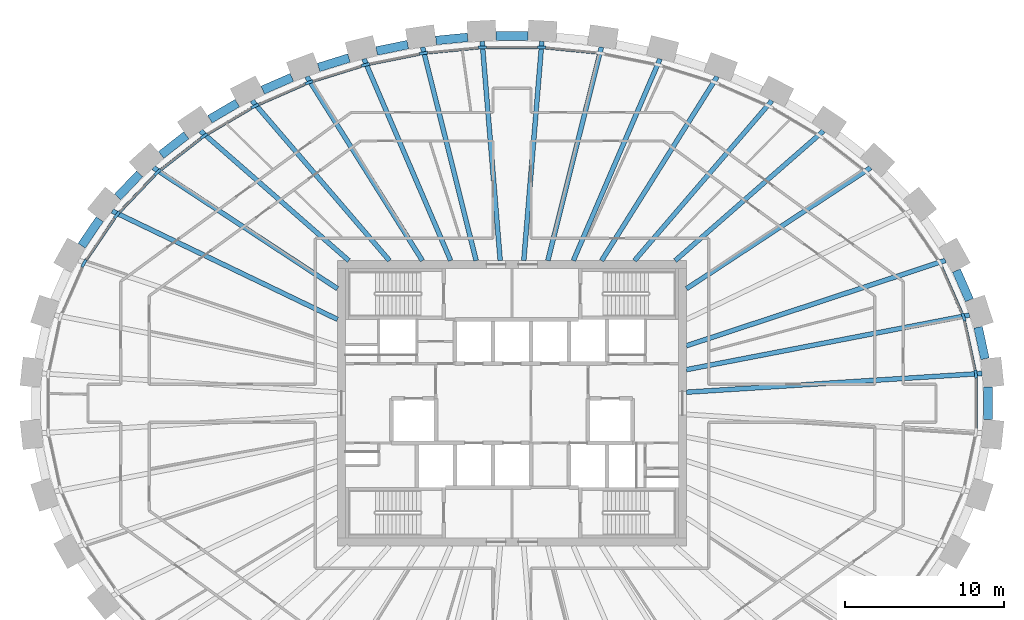
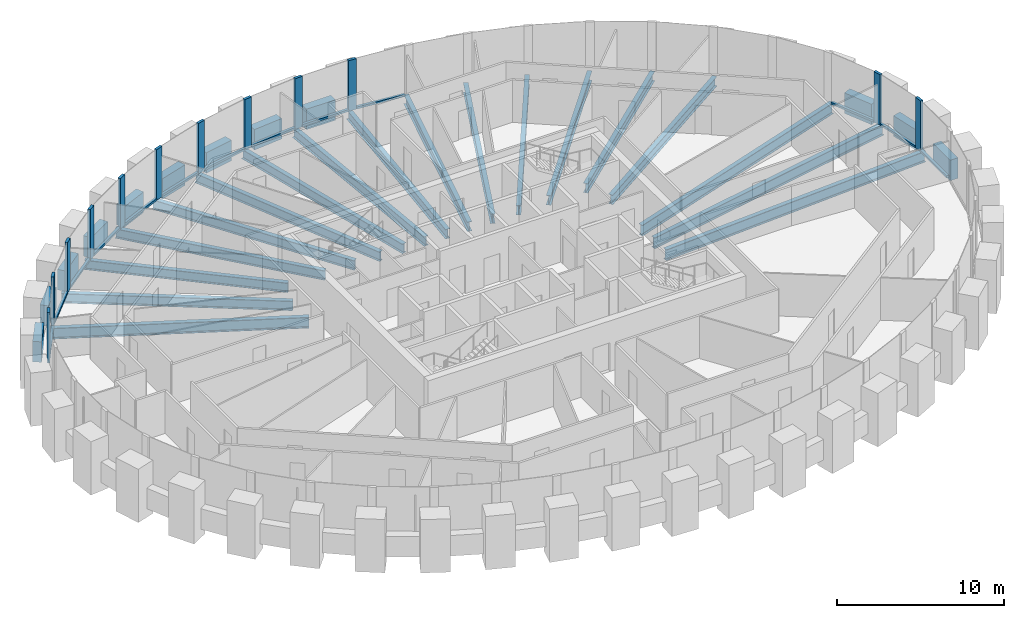
# One storey, part 3 of 12: 30 beams, 25 members, 1 element without a shape of its own.
"""IFC4 building model written with IfcOpenShell, lengths in metres."""

from ifc_helpers import new_model, si_unit, direction, frame, origin, origin_2d, place, context, subcontext, project, spatial, rectangle, i_section, extrude, source, transform, mapped, material, material_profile, profile_set, type_object, element, aggregate, save


model = new_model("IFC4")

# Units and contexts
model_context = context("Model", 3, precision=1e-05, world=origin(), true_north=direction((0.0, 1.0)))
body_context = subcontext(model_context, "Body", "Model", "MODEL_VIEW")
ifc_project = project(units=[si_unit("LENGTHUNIT", "METRE"), si_unit("AREAUNIT", "SQUARE_METRE"), si_unit("VOLUMEUNIT", "CUBIC_METRE"), si_unit("PLANEANGLEUNIT", "RADIAN"), si_unit("MASSUNIT", "GRAM", prefix="KILO")], contexts=[model_context])

# Site, building, storey
site_placement = place(None, origin())
site = spatial("IfcSite", under=ifc_project, at=site_placement, CompositionType="ELEMENT")
building_placement = place(site_placement, origin())
building = spatial("IfcBuilding", under=site, at=building_placement, Name="Embergate Tower", CompositionType="ELEMENT")
storey_placement = place(building_placement, frame((0.0, 0.0, 309.10009765625)))
storey = spatial("IfcBuildingStorey", under=building, at=storey_placement, Name="L72", CompositionType="ELEMENT", Elevation=309.10009765625)

# Beams
ifc_material_1 = material(Name="Concrete C50", Category="concrete")
ifc_material_profile_1 = material_profile(ifc_material_1, rectangle(XDim=0.550048828125, YDim=1.5, at=origin_2d()), Name="RC 550x1500")
ifc_profile_set_1 = profile_set([ifc_material_profile_1], Name="Concrete C50")
beam_type_1 = type_object("IfcBeamType", Name="Spandrel beam RC 550x1500 C50", PredefinedType="BEAM", material=ifc_profile_set_1)
shared_shape_1 = source(origin(), body_context, "Body", "SweptSolid", [
    extrude(rectangle(XDim=0.550048828125, YDim=1.5, at=origin_2d()), origin(), (0.0, 0.0, 1.0), 2.034423828125),
])
beam_1_placement = place(storey_placement, frame((29.823974609375, 2.80810546875, 0.0), z_axis=(-0.209897885741, 0.977723313398, 0.0), x_axis=(-0.977723313398, -0.209897885741, 0.0)))
element("IfcBeam", 1, at=beam_1_placement, inside=storey, type_object=beam_type_1, Name="SPN-L72-00", PredefinedType="BEAM", context=body_context, shape_type="MappedRepresentation", body=[
    mapped(shared_shape_1, transform((0.0, 0.0, 0.0))),
])
shared_shape_2 = source(origin(), body_context, "Body", "SweptSolid", [
    extrude(rectangle(XDim=0.550048828125, YDim=1.5, at=origin_2d()), origin(), (0.0, 0.0, 1.0), 2.03125),
])
beam_2_placement = place(storey_placement, frame((28.843017578125, 6.510009765625, 0.0), z_axis=(-0.401695096335, 0.915773470669, 0.0), x_axis=(-0.915773470669, -0.401695096335, 0.0)))
element("IfcBeam", 2, at=beam_2_placement, inside=storey, type_object=beam_type_1, Name="SPN-L72-01", PredefinedType="BEAM", context=body_context, shape_type="MappedRepresentation", body=[
    mapped(shared_shape_2, transform((0.0, 0.0, 0.0))),
])
shared_shape_3 = source(origin(), body_context, "Body", "SweptSolid", [
    extrude(rectangle(XDim=0.550048828125, YDim=1.5, at=origin_2d()), origin(), (0.0, 0.0, 1.0), 2.02392578125),
])
beam_3_placement = place(storey_placement, frame((-26.0, 11.60888671875, 0.0), z_axis=(-0.562220937061, -0.826987072408, 0.0), x_axis=(0.826987072408, -0.562220937061, 0.0)))
element("IfcBeam", 3, at=beam_3_placement, inside=storey, type_object=beam_type_1, Name="SPN-L72-18", PredefinedType="BEAM", context=body_context, shape_type="MappedRepresentation", body=[
    mapped(shared_shape_3, transform((0.0, 0.0, 0.0))),
])
shared_shape_4 = source(origin(), body_context, "Body", "SweptSolid", [
    extrude(rectangle(XDim=0.550048828125, YDim=1.5, at=origin_2d()), origin(), (0.0, 0.0, 1.0), 2.0185546875),
])
beam_4_placement = place(storey_placement, frame((-23.47607421875, 14.469970703125, 0.0), z_axis=(-0.690032605045, -0.723778283714, 0.0), x_axis=(0.723778283714, -0.690032605045, 0.0)))
element("IfcBeam", 4, at=beam_4_placement, inside=storey, type_object=beam_type_1, Name="SPN-L72-17", PredefinedType="BEAM", context=body_context, shape_type="MappedRepresentation", body=[
    mapped(shared_shape_4, transform((0.0, 0.0, 0.0))),
])
shared_shape_5 = source(origin(), body_context, "Body", "SweptSolid", [
    extrude(rectangle(XDim=0.550048828125, YDim=1.5, at=origin_2d()), origin(), (0.0, 0.0, 1.0), 2.011962890625),
])
beam_5_placement = place(storey_placement, frame((-20.5419921875, 16.902099609375, 0.0), z_axis=(-0.788259795351, -0.615342583471, 0.0), x_axis=(0.615342583471, -0.788259795351, 0.0)))
element("IfcBeam", 5, at=beam_5_placement, inside=storey, type_object=beam_type_1, Name="SPN-L72-16", PredefinedType="BEAM", context=body_context, shape_type="MappedRepresentation", body=[
    mapped(shared_shape_5, transform((0.0, 0.0, 0.0))),
])
shared_shape_6 = source(origin(), body_context, "Body", "SweptSolid", [
    extrude(rectangle(XDim=0.550048828125, YDim=1.5, at=origin_2d()), origin(), (0.0, 0.0, 1.0), 2.008056640625),
])
beam_6_placement = place(storey_placement, frame((-17.322021484375, 18.931884765625, 0.0), z_axis=(-0.86201859197, -0.506876658663, 0.0), x_axis=(0.506876658663, -0.86201859197, 0.0)))
element("IfcBeam", 6, at=beam_6_placement, inside=storey, type_object=beam_type_1, Name="SPN-L72-15", PredefinedType="BEAM", context=body_context, shape_type="MappedRepresentation", body=[
    mapped(shared_shape_6, transform((0.0, 0.0, 0.0))),
])
shared_shape_7 = source(origin(), body_context, "Body", "SweptSolid", [
    extrude(rectangle(XDim=0.550048828125, YDim=1.5, at=origin_2d()), origin(), (0.0, 0.0, 1.0), 2.0068359375),
])
beam_7_placement = place(storey_placement, frame((-13.8798828125, 20.552978515625, 0.0), z_axis=(-0.916455842534, -0.400135837793, 0.0), x_axis=(0.400135837793, -0.916455842534, 0.0)))
element("IfcBeam", 7, at=beam_7_placement, inside=storey, type_object=beam_type_1, Name="SPN-L72-14", PredefinedType="BEAM", context=body_context, shape_type="MappedRepresentation", body=[
    mapped(shared_shape_7, transform((0.0, 0.0, 0.0))),
])
shared_shape_8 = source(origin(), body_context, "Body", "SweptSolid", [
    extrude(rectangle(XDim=0.550048828125, YDim=1.5, at=origin_2d()), origin(), (0.0, 0.0, 1.0), 2.0048828125),
])
beam_8_placement = place(storey_placement, frame((-10.280029296875, 21.778076171875, 0.0), z_axis=(-0.954756929567, -0.297387298725, 0.0), x_axis=(0.297387298725, -0.954756929567, 0.0)))
element("IfcBeam", 8, at=beam_8_placement, inside=storey, type_object=beam_type_1, Name="SPN-L72-13", PredefinedType="BEAM", context=body_context, shape_type="MappedRepresentation", body=[
    mapped(shared_shape_8, transform((0.0, 0.0, 0.0))),
])
shared_shape_9 = source(origin(), body_context, "Body", "SweptSolid", [
    extrude(rectangle(XDim=0.550048828125, YDim=1.5, at=origin_2d()), origin(), (0.0, 0.0, 1.0), 2.003173828125),
])
beam_9_placement = place(storey_placement, frame((-6.572021484375, 22.617919921875, 0.0), z_axis=(-0.980364457571, -0.197194143753, 0.0), x_axis=(0.197194143753, -0.980364457571, 0.0)))
element("IfcBeam", 9, at=beam_9_placement, inside=storey, type_object=beam_type_1, Name="SPN-L72-12", PredefinedType="BEAM", context=body_context, shape_type="MappedRepresentation", body=[
    mapped(shared_shape_9, transform((0.0, 0.0, 0.0))),
])
shared_shape_10 = source(origin(), body_context, "Body", "SweptSolid", [
    extrude(rectangle(XDim=0.550048828125, YDim=1.5, at=origin_2d()), origin(), (0.0, 0.0, 1.0), 2.00341796875),
])
beam_10_placement = place(storey_placement, frame((-2.798095703125, 23.0791015625, 0.0), z_axis=(-0.995201107697, -0.097850678276, 0.0), x_axis=(0.097850678276, -0.995201107697, 0.0)))
element("IfcBeam", 10, at=beam_10_placement, inside=storey, type_object=beam_type_1, Name="SPN-L72-11", PredefinedType="BEAM", context=body_context, shape_type="MappedRepresentation", body=[
    mapped(shared_shape_10, transform((0.0, 0.0, 0.0))),
])
shared_shape_11 = source(origin(), body_context, "Body", "SweptSolid", [
    extrude(rectangle(XDim=0.550048828125, YDim=1.5, at=origin_2d()), origin(), (0.0, 0.0, 1.0), 2.001953125),
])
beam_11_placement = place(storey_placement, frame((1.0009765625, 23.1669921875, 0.0), z_axis=(-1.0, 0.0, 0.0), x_axis=(0.0, -1.0, 0.0)))
element("IfcBeam", 11, at=beam_11_placement, inside=storey, type_object=beam_type_1, Name="SPN-L72-10", PredefinedType="BEAM", context=body_context, shape_type="MappedRepresentation", body=[
    mapped(shared_shape_11, transform((0.0, 0.0, 0.0))),
])
shared_shape_12 = source(origin(), body_context, "Body", "SweptSolid", [
    extrude(rectangle(XDim=0.550048828125, YDim=1.5, at=origin_2d()), origin(), (0.0, 0.0, 1.0), 2.0361328125),
])
beam_12_placement = place(storey_placement, frame((30.014892578125, -1.01806640625, 0.0), z_axis=(0.0, 1.0, 0.0), x_axis=(-1.0, 0.0, 0.0)))
element("IfcBeam", 12, at=beam_12_placement, inside=storey, type_object=beam_type_1, Name="SPN-L72-43", PredefinedType="BEAM", context=body_context, shape_type="MappedRepresentation", body=[
    mapped(shared_shape_12, transform((0.0, 0.0, 0.0))),
])
ifc_material_2 = material(Name="Steel Q355B", Category="steel")
ifc_material_profile_2 = material_profile(ifc_material_2, i_section(OverallWidth=0.300048828125, OverallDepth=0.800048828125, WebThickness=0.013916015625, FlangeThickness=0.02587890625, FilletRadius=0.028076171875, at=origin_2d()), Name="HN 800x300x14x26")
ifc_profile_set_2 = profile_set([ifc_material_profile_2], Name="Steel Q355 grade B")
beam_type_2 = type_object("IfcBeamType", Name="Radial girder HN 800x300x14x26", PredefinedType="BEAM", material=ifc_profile_set_2)
shared_shape_13 = source(origin(), body_context, "Body", "SweptSolid", [
    extrude(i_section(OverallWidth=0.300048828125, OverallDepth=0.800048828125, WebThickness=0.013916015625, FlangeThickness=0.02587890625, FilletRadius=0.028076171875, at=origin_2d()), origin(), (0.0, 0.0, 1.0), 18.677490234375),
])
beam_13_placement = place(storey_placement, frame((29.639892578125, 1.883056640625, -0.60009765625), z_axis=(-0.997988431548, -0.063396297175, 0.0), x_axis=(0.063396297175, -0.997988431548, 0.0)))
element("IfcBeam", 13, at=beam_13_placement, inside=storey, type_object=beam_type_2, Name="GIR-L72-00", PredefinedType="BEAM", context=body_context, shape_type="MappedRepresentation", body=[
    mapped(shared_shape_13, transform((0.0, 0.0, 0.0))),
])
shared_shape_14 = source(origin(), body_context, "Body", "SweptSolid", [
    extrude(i_section(OverallWidth=0.300048828125, OverallDepth=0.800048828125, WebThickness=0.013916015625, FlangeThickness=0.02587890625, FilletRadius=0.028076171875, at=origin_2d()), origin(), (0.0, 0.0, 1.0), 18.177001953125),
])
beam_14_placement = place(storey_placement, frame((28.847900390625, 5.56494140625, -0.60009765625), z_axis=(-0.981898318419, -0.189408796749, 0.0), x_axis=(0.189408796749, -0.981898318419, 0.0)))
element("IfcBeam", 14, at=beam_14_placement, inside=storey, type_object=beam_type_2, Name="GIR-L72-01", PredefinedType="BEAM", context=body_context, shape_type="MappedRepresentation", body=[
    mapped(shared_shape_14, transform((0.0, 0.0, 0.0))),
])
shared_shape_15 = source(origin(), body_context, "Body", "SweptSolid", [
    extrude(i_section(OverallWidth=0.300048828125, OverallDepth=0.800048828125, WebThickness=0.013916015625, FlangeThickness=0.02587890625, FilletRadius=0.028076171875, at=origin_2d()), origin(), (0.0, 0.0, 1.0), 17.2001953125),
])
beam_15_placement = place(storey_placement, frame((27.3349609375, 9.014892578125, -0.60009765625), z_axis=(-0.949690470212, -0.313190055378, 0.0), x_axis=(0.313190055378, -0.949690470212, 0.0)))
element("IfcBeam", 15, at=beam_15_placement, inside=storey, type_object=beam_type_2, Name="GIR-L72-02", PredefinedType="BEAM", context=body_context, shape_type="MappedRepresentation", body=[
    mapped(shared_shape_15, transform((0.0, 0.0, 0.0))),
])
shared_shape_16 = source(origin(), body_context, "Body", "SweptSolid", [
    extrude(i_section(OverallWidth=0.300048828125, OverallDepth=0.800048828125, WebThickness=0.013916015625, FlangeThickness=0.02587890625, FilletRadius=0.028076171875, at=origin_2d()), origin(), (0.0, 0.0, 1.0), 15.775634765625),
])
beam_16_placement = place(storey_placement, frame((-25.216064453125, 12.131103515625, -0.60009765625), z_axis=(0.901141870193, -0.433524312795, 0.0), x_axis=(0.433524312795, 0.901141870193, 0.0)))
element("IfcBeam", 16, at=beam_16_placement, inside=storey, type_object=beam_type_2, Name="GIR-L72-18", PredefinedType="BEAM", context=body_context, shape_type="MappedRepresentation", body=[
    mapped(shared_shape_16, transform((0.0, 0.0, 0.0))),
])
ifc_material_profile_3 = material_profile(ifc_material_2, i_section(OverallWidth=0.300048828125, OverallDepth=0.699951171875, WebThickness=0.012939453125, FlangeThickness=0.02392578125, FilletRadius=0.01806640625, at=origin_2d()), Name="HN 700x300x13x24")
ifc_profile_set_3 = profile_set([ifc_material_profile_3], Name="Steel Q355 grade B")
beam_type_3 = type_object("IfcBeamType", Name="Radial girder HN 700x300x13x24", PredefinedType="BEAM", material=ifc_profile_set_3)
shared_shape_17 = source(origin(), body_context, "Body", "SweptSolid", [
    extrude(i_section(OverallWidth=0.300048828125, OverallDepth=0.699951171875, WebThickness=0.012939453125, FlangeThickness=0.02392578125, FilletRadius=0.01806640625, at=origin_2d()), origin(), (0.0, 0.0, 1.0), 13.89794921875),
])
for number, where, z_axis, x_axis, name in (
    (17, (22.614990234375, 14.85888671875, -0.550048828125), (-0.835734272266, -0.549134069386, 0.0), (0.549134069386, -0.835734272266, 0.0), "GIR-L72-04"),
    (18, (-22.614990234375, 14.85888671875, -0.550048828125), (0.835734272266, -0.549134069386, 0.0), (0.549134069386, 0.835734272266, 0.0), "GIR-L72-17"),
):
    element("IfcBeam", number, at=place(storey_placement, frame(where, z_axis=z_axis, x_axis=x_axis)), inside=storey, type_object=beam_type_3, Name=name, PredefinedType="BEAM", context=body_context, shape_type="MappedRepresentation", body=[
        mapped(shared_shape_17, transform((0.0, 0.0, 0.0))),
    ])
shared_shape_18 = source(origin(), body_context, "Body", "SweptSolid", [
    extrude(i_section(OverallWidth=0.300048828125, OverallDepth=0.699951171875, WebThickness=0.012939453125, FlangeThickness=0.02392578125, FilletRadius=0.01806640625, at=origin_2d()), origin(), (0.0, 0.0, 1.0), 12.424072265625),
])
for number, where, z_axis, x_axis, name in (
    (19, (19.64306640625, 17.178955078125, -0.550048828125), (-0.752739789834, -0.658318166847, 0.0), (0.658318166847, -0.752739789834, 0.0), "GIR-L72-05"),
    (20, (-19.64306640625, 17.178955078125, -0.550048828125), (0.752739789834, -0.658318166847, 0.0), (0.658318166847, 0.752739789834, 0.0), "GIR-L72-16"),
):
    element("IfcBeam", number, at=place(storey_placement, frame(where, z_axis=z_axis, x_axis=x_axis)), inside=storey, type_object=beam_type_3, Name=name, PredefinedType="BEAM", context=body_context, shape_type="MappedRepresentation", body=[
        mapped(shared_shape_18, transform((0.0, 0.0, 0.0))),
    ])
shared_shape_19 = source(origin(), body_context, "Body", "SweptSolid", [
    extrude(i_section(OverallWidth=0.300048828125, OverallDepth=0.699951171875, WebThickness=0.012939453125, FlangeThickness=0.02392578125, FilletRadius=0.01806640625, at=origin_2d()), origin(), (0.0, 0.0, 1.0), 13.300048828125),
])
for number, where, z_axis, x_axis, name in (
    (21, (16.39306640625, 19.090087890625, -0.550048828125), (-0.651501585067, -0.758647272885, 0.0), (0.758647272885, -0.651501585067, 0.0), "GIR-L72-06"),
    (22, (-16.39306640625, 19.090087890625, -0.550048828125), (0.651501585067, -0.758647272885, 0.0), (0.758647272885, 0.651501585067, 0.0), "GIR-L72-15"),
):
    element("IfcBeam", number, at=place(storey_placement, frame(where, z_axis=z_axis, x_axis=x_axis)), inside=storey, type_object=beam_type_3, Name=name, PredefinedType="BEAM", context=body_context, shape_type="MappedRepresentation", body=[
        mapped(shared_shape_19, transform((0.0, 0.0, 0.0))),
    ])
shared_shape_20 = source(origin(), body_context, "Body", "SweptSolid", [
    extrude(i_section(OverallWidth=0.300048828125, OverallDepth=0.699951171875, WebThickness=0.012939453125, FlangeThickness=0.02392578125, FilletRadius=0.01806640625, at=origin_2d()), origin(), (0.0, 0.0, 1.0), 13.698486328125),
])
for number, where, z_axis, x_axis, name in (
    (23, (12.93798828125, 20.60009765625, -0.550048828125), (-0.5318784163, -0.846820730895, 0.0), (0.846820730895, -0.5318784163, 0.0), "GIR-L72-07"),
    (24, (-12.93798828125, 20.60009765625, -0.550048828125), (0.5318784163, -0.846820730895, 0.0), (0.846820730895, 0.5318784163, 0.0), "GIR-L72-14"),
):
    element("IfcBeam", number, at=place(storey_placement, frame(where, z_axis=z_axis, x_axis=x_axis)), inside=storey, type_object=beam_type_3, Name=name, PredefinedType="BEAM", context=body_context, shape_type="MappedRepresentation", body=[
        mapped(shared_shape_20, transform((0.0, 0.0, 0.0))),
    ])
shared_shape_21 = source(origin(), body_context, "Body", "SweptSolid", [
    extrude(i_section(OverallWidth=0.300048828125, OverallDepth=0.699951171875, WebThickness=0.012939453125, FlangeThickness=0.02392578125, FilletRadius=0.01806640625, at=origin_2d()), origin(), (0.0, 0.0, 1.0), 13.846435546875),
])
for number, where, z_axis, x_axis, name in (
    (25, (9.3369140625, 21.720947265625, -0.550048828125), (-0.394906469697, -0.918721328909, 0.0), (0.918721328909, -0.394906469697, 0.0), "GIR-L72-08"),
    (26, (-9.3369140625, 21.720947265625, -0.550048828125), (0.394906469697, -0.918721328909, 0.0), (0.918721328909, 0.394906469697, 0.0), "GIR-L72-13"),
):
    element("IfcBeam", number, at=place(storey_placement, frame(where, z_axis=z_axis, x_axis=x_axis)), inside=storey, type_object=beam_type_3, Name=name, PredefinedType="BEAM", context=body_context, shape_type="MappedRepresentation", body=[
        mapped(shared_shape_21, transform((0.0, 0.0, 0.0))),
    ])
shared_shape_22 = source(origin(), body_context, "Body", "SweptSolid", [
    extrude(i_section(OverallWidth=0.300048828125, OverallDepth=0.699951171875, WebThickness=0.012939453125, FlangeThickness=0.02392578125, FilletRadius=0.01806640625, at=origin_2d()), origin(), (0.0, 0.0, 1.0), 13.88037109375),
])
for number, where, z_axis, x_axis, name in (
    (27, (5.638916015625, 22.462890625, -0.550048828125), (-0.243429448645, -0.969918606653, 0.0), (0.969918606653, -0.243429448645, 0.0), "GIR-L72-09"),
    (28, (-5.638916015625, 22.462890625, -0.550048828125), (0.243429448645, -0.969918606653, 0.0), (0.969918606653, 0.243429448645, 0.0), "GIR-L72-12"),
):
    element("IfcBeam", number, at=place(storey_placement, frame(where, z_axis=z_axis, x_axis=x_axis)), inside=storey, type_object=beam_type_3, Name=name, PredefinedType="BEAM", context=body_context, shape_type="MappedRepresentation", body=[
        mapped(shared_shape_22, transform((0.0, 0.0, 0.0))),
    ])
shared_shape_23 = source(origin(), body_context, "Body", "SweptSolid", [
    extrude(i_section(OverallWidth=0.300048828125, OverallDepth=0.699951171875, WebThickness=0.012939453125, FlangeThickness=0.02392578125, FilletRadius=0.01806640625, at=origin_2d()), origin(), (0.0, 0.0, 1.0), 13.879150390625),
])
for number, where, z_axis, x_axis, name in (
    (29, (1.885009765625, 22.83203125, -0.550048828125), (-0.082288456924, -0.996608553975, 0.0), (0.996608553975, -0.082288456924, 0.0), "GIR-L72-10"),
    (30, (-1.885009765625, 22.83203125, -0.550048828125), (0.082288456924, -0.996608553975, 0.0), (0.996608553975, 0.082288456924, 0.0), "GIR-L72-11"),
):
    element("IfcBeam", number, at=place(storey_placement, frame(where, z_axis=z_axis, x_axis=x_axis)), inside=storey, type_object=beam_type_3, Name=name, PredefinedType="BEAM", context=body_context, shape_type="MappedRepresentation", body=[
        mapped(shared_shape_23, transform((0.0, 0.0, 0.0))),
    ])

# Curtain wall, members
ifc_material_3 = material(Name="Aluminium and glass", Category="aluminium")
curtain_wall_type = type_object("IfcCurtainWallType", Name="Recessed office glazing", PredefinedType="NOTDEFINED", material=ifc_material_3)
curtain_wall_placement = place(storey_placement, origin())
curtain_wall = element("IfcCurtainWall", 31, at=curtain_wall_placement, inside=storey, type_object=curtain_wall_type, Name="Recessed office glazing ring", ObjectType="RECESSED OFFICE GLAZING", PredefinedType="USERDEFINED")
ifc_material_4 = material(Name="Aluminium, thermally broken", Category="aluminium")
ifc_material_profile_4 = material_profile(ifc_material_4, rectangle(XDim=0.179931640625, YDim=0.52001953125, at=origin_2d()), Name="AL 520x180")
ifc_profile_set_4 = profile_set([ifc_material_profile_4], Name="Aluminium, thermally broken")
member_type_1 = type_object("IfcMemberType", Name="Office mullion", PredefinedType="MULLION", material=ifc_profile_set_4)
shared_shape_24 = source(origin(), body_context, "Body", "SweptSolid", [
    extrude(rectangle(XDim=0.179931640625, YDim=0.52001953125, at=origin_2d()), origin(), (0.0, 0.0, 1.0), 3.699951171875),
])
member_1_placement = place(storey_placement, frame((29.252197265625, 1.84130859375, 0.0), z_axis=(0.0, 0.0, 1.0), x_axis=(-0.994384215926, -0.105830199459, 0.0)))
member_1 = element("IfcMember", 32, at=member_1_placement, type_object=member_type_1, Name="CW mullion 1", PredefinedType="MULLION", context=body_context, shape_type="MappedRepresentation", body=[
    mapped(shared_shape_24, transform((0.0, 0.0, 0.0))),
])
member_2_placement = place(storey_placement, frame((28.47705078125, 5.44384765625, 0.0), z_axis=(0.0, 0.0, 1.0), x_axis=(-0.951492965233, -0.307670500881, 0.0)))
member_2 = element("IfcMember", 33, at=member_2_placement, type_object=member_type_1, Name="CW mullion 2", PredefinedType="MULLION", context=body_context, shape_type="MappedRepresentation", body=[
    mapped(shared_shape_24, transform((0.0, 0.0, 0.0))),
])
member_3_placement = place(storey_placement, frame((1.86669921875, 22.4423828125, 0.0), z_axis=(0.0, 0.0, 1.0), x_axis=(-0.048971796621, -0.998800161762, 0.0)))
member_3 = element("IfcMember", 34, at=member_3_placement, type_object=member_type_1, Name="CW mullion 11", PredefinedType="MULLION", context=body_context, shape_type="MappedRepresentation", body=[
    mapped(shared_shape_24, transform((0.0, 0.0, 0.0))),
])
member_4_placement = place(storey_placement, frame((-1.86669921875, 22.4423828125, 0.0), z_axis=(0.0, 0.0, 1.0), x_axis=(0.048971796621, -0.998800161762, 0.0)))
member_4 = element("IfcMember", 35, at=member_4_placement, type_object=member_type_1, Name="CW mullion 12", PredefinedType="MULLION", context=body_context, shape_type="MappedRepresentation", body=[
    mapped(shared_shape_24, transform((0.0, 0.0, 0.0))),
])
member_5_placement = place(storey_placement, frame((-5.581787109375, 22.0771484375, 0.0), z_axis=(0.0, 0.0, 1.0), x_axis=(0.147412382818, -0.989075118174, 0.0)))
member_5 = element("IfcMember", 36, at=member_5_placement, type_object=member_type_1, Name="CW mullion 13", PredefinedType="MULLION", context=body_context, shape_type="MappedRepresentation", body=[
    mapped(shared_shape_24, transform((0.0, 0.0, 0.0))),
])
member_6_placement = place(storey_placement, frame((-9.240478515625, 21.343505859375, 0.0), z_axis=(0.0, 0.0, 1.0), x_axis=(0.24731188137, -0.968935928394, 0.0)))
member_6 = element("IfcMember", 37, at=member_6_placement, type_object=member_type_1, Name="CW mullion 14", PredefinedType="MULLION", context=body_context, shape_type="MappedRepresentation", body=[
    mapped(shared_shape_24, transform((0.0, 0.0, 0.0))),
])
member_7_placement = place(storey_placement, frame((-12.801513671875, 20.234619140625, 0.0), z_axis=(0.0, 0.0, 1.0), x_axis=(0.349501047589, -0.936935973124, 0.0)))
member_7 = element("IfcMember", 38, at=member_7_placement, type_object=member_type_1, Name="CW mullion 15", PredefinedType="MULLION", context=body_context, shape_type="MappedRepresentation", body=[
    mapped(shared_shape_24, transform((0.0, 0.0, 0.0))),
])
member_8_placement = place(storey_placement, frame((-16.2158203125, 18.741455078125, 0.0), z_axis=(0.0, 0.0, 1.0), x_axis=(0.454508271251, -0.890742516872, 0.0)))
member_8 = element("IfcMember", 39, at=member_8_placement, type_object=member_type_1, Name="CW mullion 16", PredefinedType="MULLION", context=body_context, shape_type="MappedRepresentation", body=[
    mapped(shared_shape_24, transform((0.0, 0.0, 0.0))),
])
member_9_placement = place(storey_placement, frame((-19.42431640625, 16.855224609375, 0.0), z_axis=(0.0, 0.0, 1.0), x_axis=(0.56221328843, -0.826992272221, 0.0)))
member_9 = element("IfcMember", 40, at=member_9_placement, type_object=member_type_1, Name="CW mullion 17", PredefinedType="MULLION", context=body_context, shape_type="MappedRepresentation", body=[
    mapped(shared_shape_24, transform((0.0, 0.0, 0.0))),
])
member_10_placement = place(storey_placement, frame((-22.353759765625, 14.56884765625, 0.0), z_axis=(0.0, 0.0, 1.0), x_axis=(0.671220065284, -0.741258135847, 0.0)))
member_10 = element("IfcMember", 41, at=member_10_placement, type_object=member_type_1, Name="CW mullion 18", PredefinedType="MULLION", context=body_context, shape_type="MappedRepresentation", body=[
    mapped(shared_shape_24, transform((0.0, 0.0, 0.0))),
])
member_11_placement = place(storey_placement, frame((-24.913330078125, 11.884765625, 0.0), z_axis=(0.0, 0.0, 1.0), x_axis=(0.777863789852, -0.628432911643, 0.0)))
member_11 = element("IfcMember", 42, at=member_11_placement, type_object=member_type_1, Name="CW mullion 19", PredefinedType="MULLION", context=body_context, shape_type="MappedRepresentation", body=[
    mapped(shared_shape_24, transform((0.0, 0.0, 0.0))),
])
member_12_placement = place(storey_placement, frame((-26.994140625, 8.824951171875, 0.0), z_axis=(0.0, 0.0, 1.0), x_axis=(0.87499344622, -0.484134763338, 0.0)))
member_12 = element("IfcMember", 43, at=member_12_placement, type_object=member_type_1, Name="CW mullion 20", PredefinedType="MULLION", context=body_context, shape_type="MappedRepresentation", body=[
    mapped(shared_shape_24, transform((0.0, 0.0, 0.0))),
])
ifc_material_profile_5 = material_profile(ifc_material_4, rectangle(XDim=0.179931640625, YDim=0.14990234375, at=origin_2d()), Name="AL 150x180")
ifc_profile_set_5 = profile_set([ifc_material_profile_5], Name="Aluminium, thermally broken")
member_type_2 = type_object("IfcMemberType", Name="Office sill transom", PredefinedType="USERDEFINED", material=ifc_profile_set_5)
shared_shape_25 = source(origin(), body_context, "Body", "SweptSolid", [
    extrude(rectangle(XDim=0.179931640625, YDim=0.14990234375, at=origin_2d()), origin(), (0.0, 0.0, 1.0), 3.1650390625),
])
member_13_placement = place(storey_placement, frame((29.197509765625, 2.095458984375, 0.074951171875), z_axis=(-0.210350798958, 0.977625972127, 0.0), x_axis=(-0.977625972127, -0.210350798958, 0.0)))
member_13 = element("IfcMember", 44, at=member_13_placement, type_object=member_type_2, Name="CW transom 1.1", ObjectType="TRANSOM", PredefinedType="USERDEFINED", context=body_context, shape_type="MappedRepresentation", body=[
    mapped(shared_shape_25, transform((0.0, 0.0, 0.0))),
])
shared_shape_26 = source(origin(), body_context, "Body", "SweptSolid", [
    extrude(rectangle(XDim=0.179931640625, YDim=0.14990234375, at=origin_2d()), origin(), (0.0, 0.0, 1.0), 3.172119140625),
])
member_14_placement = place(storey_placement, frame((28.37255859375, 5.681884765625, 0.074951171875), z_axis=(-0.401606005278, 0.915812544424, 0.0), x_axis=(-0.915812544424, -0.401606005278, 0.0)))
member_14 = element("IfcMember", 45, at=member_14_placement, type_object=member_type_2, Name="CW transom 2.1", ObjectType="TRANSOM", PredefinedType="USERDEFINED", context=body_context, shape_type="MappedRepresentation", body=[
    mapped(shared_shape_26, transform((0.0, 0.0, 0.0))),
])
shared_shape_27 = source(origin(), body_context, "Body", "SweptSolid", [
    extrude(rectangle(XDim=0.179931640625, YDim=0.14990234375, at=origin_2d()), origin(), (0.0, 0.0, 1.0), 3.180419921875),
])
member_15_placement = place(storey_placement, frame((-25.0595703125, 11.669921875, 0.074951171875), z_axis=(-0.562276427382, -0.826949345009, 0.0), x_axis=(0.826949345009, -0.562276427382, 0.0)))
member_15 = element("IfcMember", 46, at=member_15_placement, type_object=member_type_2, Name="CW transom 19.1", ObjectType="TRANSOM", PredefinedType="USERDEFINED", context=body_context, shape_type="MappedRepresentation", body=[
    mapped(shared_shape_27, transform((0.0, 0.0, 0.0))),
])
shared_shape_28 = source(origin(), body_context, "Body", "SweptSolid", [
    extrude(rectangle(XDim=0.179931640625, YDim=0.14990234375, at=origin_2d()), origin(), (0.0, 0.0, 1.0), 3.188720703125),
])
member_16_placement = place(storey_placement, frame((-22.533203125, 14.380615234375, 0.074951171875), z_axis=(-0.690140615527, -0.723675293761, 0.0), x_axis=(0.723675293761, -0.690140615527, 0.0)))
member_16 = element("IfcMember", 47, at=member_16_placement, type_object=member_type_2, Name="CW transom 18.1", ObjectType="TRANSOM", PredefinedType="USERDEFINED", context=body_context, shape_type="MappedRepresentation", body=[
    mapped(shared_shape_28, transform((0.0, 0.0, 0.0))),
])
shared_shape_29 = source(origin(), body_context, "Body", "SweptSolid", [
    extrude(rectangle(XDim=0.179931640625, YDim=0.14990234375, at=origin_2d()), origin(), (0.0, 0.0, 1.0), 3.196044921875),
])
member_17_placement = place(storey_placement, frame((-19.629150390625, 16.6953125, 0.074951171875), z_axis=(-0.788302228684, -0.615288222098, 0.0), x_axis=(0.615288222098, -0.788302228684, 0.0)))
member_17 = element("IfcMember", 48, at=member_17_placement, type_object=member_type_2, Name="CW transom 17.1", ObjectType="TRANSOM", PredefinedType="USERDEFINED", context=body_context, shape_type="MappedRepresentation", body=[
    mapped(shared_shape_29, transform((0.0, 0.0, 0.0))),
])
shared_shape_30 = source(origin(), body_context, "Body", "SweptSolid", [
    extrude(rectangle(XDim=0.179931640625, YDim=0.14990234375, at=origin_2d()), origin(), (0.0, 0.0, 1.0), 3.201904296875),
])
member_18_placement = place(storey_placement, frame((-16.43994140625, 18.609619140625, 0.074951171875), z_axis=(-0.862053756613, -0.506816851248, 0.0), x_axis=(0.506816851248, -0.862053756613, 0.0)))
member_18 = element("IfcMember", 49, at=member_18_placement, type_object=member_type_2, Name="CW transom 16.1", ObjectType="TRANSOM", PredefinedType="USERDEFINED", context=body_context, shape_type="MappedRepresentation", body=[
    mapped(shared_shape_30, transform((0.0, 0.0, 0.0))),
])
shared_shape_31 = source(origin(), body_context, "Body", "SweptSolid", [
    extrude(rectangle(XDim=0.179931640625, YDim=0.14990234375, at=origin_2d()), origin(), (0.0, 0.0, 1.0), 3.206298828125),
])
member_19_placement = place(storey_placement, frame((-13.039794921875, 20.13037109375, 0.074951171875), z_axis=(-0.916225475643, -0.400663047688, 0.0), x_axis=(0.400663047688, -0.916225475643, 0.0)))
member_19 = element("IfcMember", 50, at=member_19_placement, type_object=member_type_2, Name="CW transom 15.1", ObjectType="TRANSOM", PredefinedType="USERDEFINED", context=body_context, shape_type="MappedRepresentation", body=[
    mapped(shared_shape_31, transform((0.0, 0.0, 0.0))),
])
shared_shape_32 = source(origin(), body_context, "Body", "SweptSolid", [
    extrude(rectangle(XDim=0.179931640625, YDim=0.14990234375, at=origin_2d()), origin(), (0.0, 0.0, 1.0), 3.20947265625),
])
member_20_placement = place(storey_placement, frame((-9.489013671875, 21.26611328125, 0.074951171875), z_axis=(-0.954765144534, -0.297360923431, 0.0), x_axis=(0.297360923431, -0.954765144534, 0.0)))
member_20 = element("IfcMember", 51, at=member_20_placement, type_object=member_type_2, Name="CW transom 14.1", ObjectType="TRANSOM", PredefinedType="USERDEFINED", context=body_context, shape_type="MappedRepresentation", body=[
    mapped(shared_shape_32, transform((0.0, 0.0, 0.0))),
])
shared_shape_33 = source(origin(), body_context, "Body", "SweptSolid", [
    extrude(rectangle(XDim=0.179931640625, YDim=0.14990234375, at=origin_2d()), origin(), (0.0, 0.0, 1.0), 3.211669921875),
])
member_21_placement = place(storey_placement, frame((-5.836669921875, 22.026123046875, 0.074951171875), z_axis=(-0.980472347912, -0.196656998298, 0.0), x_axis=(0.196656998298, -0.980472347912, 0.0)))
member_21 = element("IfcMember", 52, at=member_21_placement, type_object=member_type_2, Name="CW transom 13.1", ObjectType="TRANSOM", PredefinedType="USERDEFINED", context=body_context, shape_type="MappedRepresentation", body=[
    mapped(shared_shape_33, transform((0.0, 0.0, 0.0))),
])
shared_shape_34 = source(origin(), body_context, "Body", "SweptSolid", [
    extrude(rectangle(XDim=0.179931640625, YDim=0.14990234375, at=origin_2d()), origin(), (0.0, 0.0, 1.0), 3.212890625),
])
member_22_placement = place(storey_placement, frame((5.322998046875, 22.102783203125, 0.074951171875), z_axis=(-0.995206508067, 0.097795737641, 0.0), x_axis=(-0.097795737641, -0.995206508067, 0.0)))
member_22 = element("IfcMember", 53, at=member_22_placement, type_object=member_type_2, Name="CW transom 10.1", ObjectType="TRANSOM", PredefinedType="USERDEFINED", context=body_context, shape_type="MappedRepresentation", body=[
    mapped(shared_shape_34, transform((0.0, 0.0, 0.0))),
])
member_23_placement = place(storey_placement, frame((-2.12548828125, 22.4169921875, 0.074951171875), z_axis=(-0.995206508067, -0.097795737641, 0.0), x_axis=(0.097795737641, -0.995206508067, 0.0)))
member_23 = element("IfcMember", 54, at=member_23_placement, type_object=member_type_2, Name="CW transom 12.1", ObjectType="TRANSOM", PredefinedType="USERDEFINED", context=body_context, shape_type="MappedRepresentation", body=[
    mapped(shared_shape_34, transform((0.0, 0.0, 0.0))),
])
shared_shape_35 = source(origin(), body_context, "Body", "SweptSolid", [
    extrude(rectangle(XDim=0.179931640625, YDim=0.14990234375, at=origin_2d()), origin(), (0.0, 0.0, 1.0), 3.21337890625),
])
member_24_placement = place(storey_placement, frame((1.606689453125, 22.4423828125, 0.074951171875), z_axis=(-1.0, 0.0, 0.0), x_axis=(0.0, -1.0, 0.0)))
member_24 = element("IfcMember", 55, at=member_24_placement, type_object=member_type_2, Name="CW transom 11.1", ObjectType="TRANSOM", PredefinedType="USERDEFINED", context=body_context, shape_type="MappedRepresentation", body=[
    mapped(shared_shape_35, transform((0.0, 0.0, 0.0))),
])
shared_shape_36 = source(origin(), body_context, "Body", "SweptSolid", [
    extrude(rectangle(XDim=0.179931640625, YDim=0.14990234375, at=origin_2d()), origin(), (0.0, 0.0, 1.0), 3.16259765625),
])
member_25_placement = place(storey_placement, frame((29.252197265625, -1.581298828125, 0.074951171875), z_axis=(0.0, 1.0, 0.0), x_axis=(-1.0, 0.0, 0.0)))
member_25 = element("IfcMember", 56, at=member_25_placement, type_object=member_type_2, Name="CW transom 44.1", ObjectType="TRANSOM", PredefinedType="USERDEFINED", context=body_context, shape_type="MappedRepresentation", body=[
    mapped(shared_shape_36, transform((0.0, 0.0, 0.0))),
])
aggregate(curtain_wall, [member_1, member_2, member_3, member_4, member_5, member_6, member_7, member_8, member_9, member_10, member_11, member_12, member_13, member_14, member_22, member_24, member_23, member_21, member_20, member_19, member_18, member_17, member_16, member_15, member_25])

save(model, "model.ifc")
